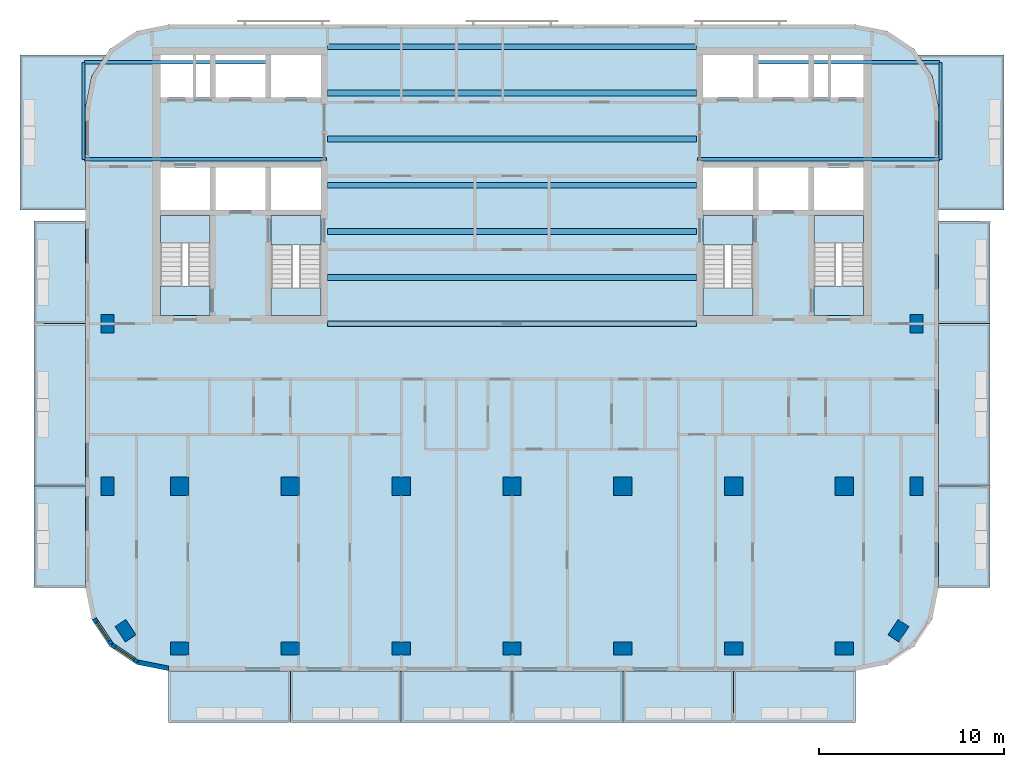
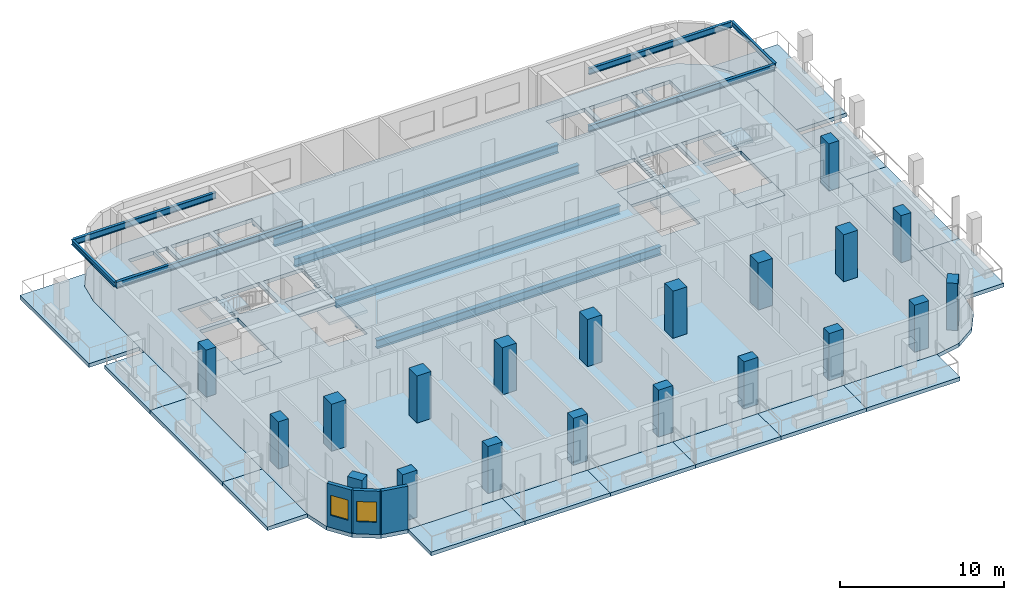
# One storey, part 1 of 11: 23 slabs, 20 columns, 13 beams, 3 walls, 2 windows, 2 openings, 4 elements without a shape of their own.
"""IFC4 building model written with IfcOpenShell, lengths in metres."""

from ifc_helpers import new_model, si_unit, direction, frame, frame_2d, origin, origin_2d, place, context, subcontext, project, spatial, polyline, rectangle, i_section, outline, extrude, material, layer, layer_set, material_profile, profile_set, type_object, element, fill, aggregate, save


model = new_model("IFC4")

# Units and contexts
model_context = context("Model", 3, precision=1e-05, world=origin(), true_north=direction((0.0, 1.0)))
body_context = subcontext(model_context, "Body", "Model", "MODEL_VIEW")
ifc_project = project(units=[si_unit("LENGTHUNIT", "METRE"), si_unit("AREAUNIT", "SQUARE_METRE"), si_unit("VOLUMEUNIT", "CUBIC_METRE"), si_unit("PLANEANGLEUNIT", "RADIAN"), si_unit("MASSUNIT", "GRAM", prefix="KILO")], contexts=[model_context])

# Site, building, storey
site_placement = place(None, origin())
site = spatial("IfcSite", under=ifc_project, at=site_placement, CompositionType="ELEMENT")
building_placement = place(site_placement, origin())
building = spatial("IfcBuilding", under=site, at=building_placement, Name="Torana Hotel and Residences", CompositionType="ELEMENT")
storey_placement = place(building_placement, frame((0.0, 0.0, 294.60009765625)))
storey = spatial("IfcBuildingStorey", under=building, at=storey_placement, Name="L78", CompositionType="ELEMENT", Elevation=294.60009765625)

# Columns
ifc_material_1 = material(Name="Concrete C50/60", Category="concrete")
ifc_material_profile_1 = material_profile(ifc_material_1, rectangle(XDim=1.0, YDim=1.0, at=origin_2d()), Name="RC 1000x1000")
ifc_profile_set_1 = profile_set([ifc_material_profile_1], Name="Concrete C50/60")
column_type_1 = type_object("IfcColumnType", Name="COLUMN RC 1000x1000 C50/60", PredefinedType="COLUMN", material=ifc_profile_set_1)
for number, where, z_axis, x_axis, name in (
    (1, (-18.0, -23.800048828125, 0.0), (0.0, 0.0, 1.0), (1.0, 0.0, 0.0), "Column L78"),
    (2, (-12.0, -23.800048828125, 0.0), (0.0, 0.0, 1.0), (1.0, 0.0, 0.0), "Column L78"),
    (3, (-6.0, -23.800048828125, 0.0), (0.0, 0.0, 1.0), (1.0, 0.0, 0.0), "Column L78"),
    (4, (0.0, -23.800048828125, 0.0), (0.0, 0.0, 1.0), (1.0, 0.0, 0.0), "Column L78"),
    (5, (6.0, -23.800048828125, 0.0), (0.0, 0.0, 1.0), (1.0, 0.0, 0.0), "Column L78"),
    (6, (12.0, -23.800048828125, 0.0), (0.0, 0.0, 1.0), (1.0, 0.0, 0.0), "Column L78"),
    (7, (18.0, -23.800048828125, 0.0), (0.0, 0.0, 1.0), (1.0, 0.0, 0.0), "Column L78"),
):
    element("IfcColumn", number, at=place(storey_placement, frame(where, z_axis=z_axis, x_axis=x_axis)), inside=storey, type_object=column_type_1, Name=name, PredefinedType="COLUMN", context=body_context, shape_type="SweptSolid", body=[
        extrude(rectangle(XDim=1.0, YDim=1.0, at=origin_2d()), origin(), (0.0, 0.0, 1.0), 3.5),
    ])
ifc_material_2 = material(Name="Concrete C50/60", Category="concrete")
ifc_material_profile_2 = material_profile(ifc_material_2, rectangle(XDim=1.0, YDim=0.699951171875, at=origin_2d()), Name="RC 1000x700")
ifc_profile_set_2 = profile_set([ifc_material_profile_2], Name="Concrete C50/60")
column_type_2 = type_object("IfcColumnType", Name="COLUMN RC 1000x700 C50/60", PredefinedType="COLUMN", material=ifc_profile_set_2)
for number, where, z_axis, x_axis, name in (
    (8, (-21.89990234375, -23.800048828125, 0.0), (0.0, 0.0, 1.0), (0.0, 1.0, 0.0), "Column L78"),
    (9, (-21.89990234375, -15.0, 0.0), (0.0, 0.0, 1.0), (0.0, 1.0, 0.0), "Column L78"),
    (10, (-20.93310546875, -31.633056640625, 0.0), (0.0, 0.0, 1.0), (-0.555584744817, 0.831459915646, 0.0), "Column L78"),
    (11, (-18.0, -32.60009765625, 0.0), (0.0, 0.0, 1.0), (1.0, 0.0, 0.0), "Column L78"),
    (12, (-12.0, -32.60009765625, 0.0), (0.0, 0.0, 1.0), (1.0, 0.0, 0.0), "Column L78"),
    (13, (-6.0, -32.60009765625, 0.0), (0.0, 0.0, 1.0), (1.0, 0.0, 0.0), "Column L78"),
    (14, (0.0, -32.60009765625, 0.0), (0.0, 0.0, 1.0), (1.0, 0.0, 0.0), "Column L78"),
    (15, (6.0, -32.60009765625, 0.0), (0.0, 0.0, 1.0), (1.0, 0.0, 0.0), "Column L78"),
    (16, (12.0, -32.60009765625, 0.0), (0.0, 0.0, 1.0), (1.0, 0.0, 0.0), "Column L78"),
    (17, (18.0, -32.60009765625, 0.0), (0.0, 0.0, 1.0), (1.0, 0.0, 0.0), "Column L78"),
    (18, (20.93310546875, -31.633056640625, 0.0), (0.0, 0.0, 1.0), (0.555584744817, 0.831459915646, 0.0), "Column L78"),
    (19, (21.89990234375, -23.800048828125, 0.0), (0.0, 0.0, 1.0), (0.0, 1.0, 0.0), "Column L78"),
    (20, (21.89990234375, -15.0, 0.0), (0.0, 0.0, 1.0), (0.0, 1.0, 0.0), "Column L78"),
):
    element("IfcColumn", number, at=place(storey_placement, frame(where, z_axis=z_axis, x_axis=x_axis)), inside=storey, type_object=column_type_2, Name=name, PredefinedType="COLUMN", context=body_context, shape_type="SweptSolid", body=[
        extrude(rectangle(XDim=1.0, YDim=0.699951171875, at=origin_2d()), origin(), (0.0, 0.0, 1.0), 3.5),
    ])

# Beams
ifc_material_3 = material(Name="Steel S355", Category="steel")
ifc_material_profile_3 = material_profile(ifc_material_3, i_section(OverallWidth=0.19287109375, OverallDepth=0.46728515625, WebThickness=0.011474609375, FlangeThickness=0.01953125, FilletRadius=0.01025390625, at=origin_2d()), Name="457x191x98 UB")
ifc_profile_set_3 = profile_set([ifc_material_profile_3], Name="Steel S355")
beam_type_1 = type_object("IfcBeamType", Name="BALCONY CANTILEVER BEAM 457x191x98 UB", PredefinedType="BEAM", material=ifc_profile_set_3)
beam_1_placement = place(storey_placement, frame((-23.1484375, -6.10009765625, 2.986328125), z_axis=(1.0, 0.0, 0.0), x_axis=(0.0, 1.0, 0.0)))
element("IfcBeam", 21, at=beam_1_placement, inside=storey, type_object=beam_type_1, Name="Balcony cantilever beam", PredefinedType="BEAM", context=body_context, shape_type="SweptSolid", body=[
    extrude(i_section(OverallWidth=0.19287109375, OverallDepth=0.46728515625, WebThickness=0.011474609375, FlangeThickness=0.01953125, FilletRadius=0.01025390625, at=origin_2d()), origin(), (0.0, 0.0, 1.0), 13.098388671875),
])
beam_2_placement = place(storey_placement, frame((-23.1484375, -0.85009765625, 2.986328125), z_axis=(1.0, 0.0, 0.0), x_axis=(0.0, 1.0, 0.0)))
element("IfcBeam", 22, at=beam_2_placement, inside=storey, type_object=beam_type_1, Name="Balcony cantilever beam", PredefinedType="BEAM", context=body_context, shape_type="SweptSolid", body=[
    extrude(i_section(OverallWidth=0.19287109375, OverallDepth=0.46728515625, WebThickness=0.011474609375, FlangeThickness=0.01953125, FilletRadius=0.01025390625, at=origin_2d()), origin(), (0.0, 0.0, 1.0), 10.04833984375),
])
beam_3_placement = place(storey_placement, frame((23.1484375, -6.10009765625, 2.986328125), z_axis=(-1.0, 0.0, 0.0), x_axis=(0.0, -1.0, 0.0)))
element("IfcBeam", 23, at=beam_3_placement, inside=storey, type_object=beam_type_1, Name="Balcony cantilever beam", PredefinedType="BEAM", context=body_context, shape_type="SweptSolid", body=[
    extrude(i_section(OverallWidth=0.19287109375, OverallDepth=0.46728515625, WebThickness=0.011474609375, FlangeThickness=0.01953125, FilletRadius=0.01025390625, at=origin_2d()), origin(), (0.0, 0.0, 1.0), 13.098388671875),
])
beam_4_placement = place(storey_placement, frame((23.1484375, -0.85009765625, 2.986328125), z_axis=(-1.0, 0.0, 0.0), x_axis=(0.0, -1.0, 0.0)))
element("IfcBeam", 24, at=beam_4_placement, inside=storey, type_object=beam_type_1, Name="Balcony cantilever beam", PredefinedType="BEAM", context=body_context, shape_type="SweptSolid", body=[
    extrude(i_section(OverallWidth=0.19287109375, OverallDepth=0.46728515625, WebThickness=0.011474609375, FlangeThickness=0.01953125, FilletRadius=0.01025390625, at=origin_2d()), origin(), (0.0, 0.0, 1.0), 10.04833984375),
])
ifc_material_4 = material(Name="Steel S355", Category="steel")
ifc_material_profile_4 = material_profile(ifc_material_4, i_section(OverallWidth=0.173095703125, OverallDepth=0.36328125, WebThickness=0.009033203125, FlangeThickness=0.015625, FilletRadius=0.01025390625, at=origin_2d()), Name="356x171x67 UB")
ifc_profile_set_4 = profile_set([ifc_material_profile_4], Name="Steel S355")
beam_type_2 = type_object("IfcBeamType", Name="BALCONY TIP BEAM 356x171x67 UB", PredefinedType="BEAM", material=ifc_profile_set_4)
for number, where, z_axis, x_axis, name in (
    (25, (-23.205078125, -6.10009765625, 3.0380859375), (0.0, 1.0, 0.0), (-1.0, 0.0, 0.0), "Balcony tip beam"),
    (26, (23.205078125, -6.10009765625, 3.0380859375), (0.0, 1.0, 0.0), (-1.0, 0.0, 0.0), "Balcony tip beam"),
):
    element("IfcBeam", number, at=place(storey_placement, frame(where, z_axis=z_axis, x_axis=x_axis)), inside=storey, type_object=beam_type_2, Name=name, PredefinedType="BEAM", context=body_context, shape_type="SweptSolid", body=[
        extrude(i_section(OverallWidth=0.173095703125, OverallDepth=0.36328125, WebThickness=0.009033203125, FlangeThickness=0.015625, FilletRadius=0.01025390625, at=origin_2d()), origin(), (0.0, 0.0, 1.0), 5.25),
    ])
ifc_material_5 = material(Name="Steel S355", Category="steel")
ifc_material_profile_5 = material_profile(ifc_material_5, i_section(OverallWidth=0.311279296875, OverallDepth=0.6357421875, WebThickness=0.018310546875, FlangeThickness=0.031494140625, FilletRadius=0.0166015625, at=origin_2d()), Name="610x305x238 UB")
ifc_profile_set_5 = profile_set([ifc_material_profile_5], Name="Steel S355")
beam_type_3 = type_object("IfcBeamType", Name="STEEL GIRDER 610x305x238 UB", PredefinedType="BEAM", material=ifc_profile_set_5)
for number, where, z_axis, x_axis, name in (
    (27, (-10.0, -15.0, -0.597900390625), (1.0, 0.0, 0.0), (0.0, 1.0, 0.0), "Floor girder"),
    (28, (-10.0, -12.5, -0.597900390625), (1.0, 0.0, 0.0), (0.0, 1.0, 0.0), "Floor girder"),
    (29, (-10.0, -10.0, -0.597900390625), (1.0, 0.0, 0.0), (0.0, 1.0, 0.0), "Floor girder"),
    (30, (-10.0, -7.5, -0.597900390625), (1.0, 0.0, 0.0), (0.0, 1.0, 0.0), "Floor girder"),
    (31, (-10.0, -5.0, -0.597900390625), (1.0, 0.0, 0.0), (0.0, 1.0, 0.0), "Floor girder"),
    (32, (-10.0, -2.5, -0.597900390625), (1.0, 0.0, 0.0), (0.0, 1.0, 0.0), "Floor girder"),
    (33, (-10.0, 0.0, -0.597900390625), (1.0, 0.0, 0.0), (0.0, 1.0, 0.0), "Floor girder"),
):
    element("IfcBeam", number, at=place(storey_placement, frame(where, z_axis=z_axis, x_axis=x_axis)), inside=storey, type_object=beam_type_3, Name=name, PredefinedType="BEAM", context=body_context, shape_type="SweptSolid", body=[
        extrude(i_section(OverallWidth=0.311279296875, OverallDepth=0.6357421875, WebThickness=0.018310546875, FlangeThickness=0.031494140625, FilletRadius=0.0166015625, at=origin_2d()), origin(), (0.0, 0.0, 1.0), 20.0),
    ])

# Slabs
ifc_material_6 = material(Name="Concrete C40/50", Category="concrete")
ifc_layer_1 = layer(ifc_material_6, 0.280029296875)
ifc_layer_set_1 = layer_set([ifc_layer_1], Name="BAL1 BALCONY SLAB 280")
slab_type_1 = type_object("IfcSlabType", Name="BAL1 BALCONY SLAB 280", PredefinedType="USERDEFINED", material=ifc_layer_set_1)
slab_1_placement = place(storey_placement, frame((0.0, 0.0, -0.280029296875)))
element("IfcSlab", 34, at=slab_1_placement, inside=storey, type_object=slab_type_1, Name="Balcony 01", ObjectType="BALCONY", PredefinedType="USERDEFINED", context=body_context, shape_type="SweptSolid", body=[
    extrude(outline(polyline([(-18.60009765625, -36.60009765625), (-12.0, -36.60009765625), (-12.0, -33.800048828125), (-18.60009765625, -33.800048828125), (-18.60009765625, -36.60009765625)])), origin(), (0.0, 0.0, 1.0), 0.280029296875),
])
slab_2_placement = place(storey_placement, frame((0.0, 0.0, -0.280029296875)))
element("IfcSlab", 35, at=slab_2_placement, inside=storey, type_object=slab_type_1, Name="Balcony 02", ObjectType="BALCONY", PredefinedType="USERDEFINED", context=body_context, shape_type="SweptSolid", body=[
    extrude(outline(polyline([(-12.0, -36.60009765625), (-6.0, -36.60009765625), (-6.0, -33.800048828125), (-12.0, -33.800048828125), (-12.0, -36.60009765625)])), origin(), (0.0, 0.0, 1.0), 0.280029296875),
])
slab_3_placement = place(storey_placement, frame((0.0, 0.0, -0.280029296875)))
element("IfcSlab", 36, at=slab_3_placement, inside=storey, type_object=slab_type_1, Name="Balcony 03", ObjectType="BALCONY", PredefinedType="USERDEFINED", context=body_context, shape_type="SweptSolid", body=[
    extrude(outline(polyline([(-6.0, -36.60009765625), (0.0, -36.60009765625), (0.0, -33.800048828125), (-6.0, -33.800048828125), (-6.0, -36.60009765625)])), origin(), (0.0, 0.0, 1.0), 0.280029296875),
])
slab_4_placement = place(storey_placement, frame((0.0, 0.0, -0.280029296875)))
element("IfcSlab", 37, at=slab_4_placement, inside=storey, type_object=slab_type_1, Name="Balcony 04", ObjectType="BALCONY", PredefinedType="USERDEFINED", context=body_context, shape_type="SweptSolid", body=[
    extrude(outline(polyline([(0.0, -36.60009765625), (6.0, -36.60009765625), (6.0, -33.800048828125), (0.0, -33.800048828125), (0.0, -36.60009765625)])), origin(), (0.0, 0.0, 1.0), 0.280029296875),
])
slab_5_placement = place(storey_placement, frame((0.0, 0.0, -0.280029296875)))
element("IfcSlab", 38, at=slab_5_placement, inside=storey, type_object=slab_type_1, Name="Balcony 05", ObjectType="BALCONY", PredefinedType="USERDEFINED", context=body_context, shape_type="SweptSolid", body=[
    extrude(outline(polyline([(6.0, -36.60009765625), (12.0, -36.60009765625), (12.0, -33.800048828125), (6.0, -33.800048828125), (6.0, -36.60009765625)])), origin(), (0.0, 0.0, 1.0), 0.280029296875),
])
slab_6_placement = place(storey_placement, frame((0.0, 0.0, -0.280029296875)))
element("IfcSlab", 39, at=slab_6_placement, inside=storey, type_object=slab_type_1, Name="Balcony 06", ObjectType="BALCONY", PredefinedType="USERDEFINED", context=body_context, shape_type="SweptSolid", body=[
    extrude(outline(polyline([(12.0, -36.60009765625), (18.60009765625, -36.60009765625), (18.60009765625, -33.800048828125), (12.0, -33.800048828125), (12.0, -36.60009765625)])), origin(), (0.0, 0.0, 1.0), 0.280029296875),
])
slab_7_placement = place(storey_placement, frame((0.0, 0.0, -0.280029296875)))
element("IfcSlab", 40, at=slab_7_placement, inside=storey, type_object=slab_type_1, Name="Balcony 07", ObjectType="BALCONY", PredefinedType="USERDEFINED", context=body_context, shape_type="SweptSolid", body=[
    extrude(outline(polyline([(-25.89990234375, -29.300048828125), (-23.10009765625, -29.300048828125), (-23.10009765625, -23.800048828125), (-25.89990234375, -23.800048828125), (-25.89990234375, -29.300048828125)])), origin(), (0.0, 0.0, 1.0), 0.280029296875),
])
slab_8_placement = place(storey_placement, frame((0.0, 0.0, -0.280029296875)))
element("IfcSlab", 41, at=slab_8_placement, inside=storey, type_object=slab_type_1, Name="Balcony 08", ObjectType="BALCONY", PredefinedType="USERDEFINED", context=body_context, shape_type="SweptSolid", body=[
    extrude(outline(polyline([(-25.89990234375, -23.800048828125), (-23.10009765625, -23.800048828125), (-23.10009765625, -15.0), (-25.89990234375, -15.0), (-25.89990234375, -23.800048828125)])), origin(), (0.0, 0.0, 1.0), 0.280029296875),
])
slab_9_placement = place(storey_placement, frame((0.0, 0.0, -0.280029296875)))
element("IfcSlab", 42, at=slab_9_placement, inside=storey, type_object=slab_type_1, Name="Balcony 09", ObjectType="BALCONY", PredefinedType="USERDEFINED", context=body_context, shape_type="SweptSolid", body=[
    extrude(outline(polyline([(-25.89990234375, -15.0), (-23.10009765625, -15.0), (-23.10009765625, -9.449951171875), (-25.89990234375, -9.449951171875), (-25.89990234375, -15.0)])), origin(), (0.0, 0.0, 1.0), 0.280029296875),
])
slab_10_placement = place(storey_placement, frame((0.0, 0.0, -0.280029296875)))
element("IfcSlab", 43, at=slab_10_placement, inside=storey, type_object=slab_type_1, Name="Balcony 10", ObjectType="BALCONY", PredefinedType="USERDEFINED", context=body_context, shape_type="SweptSolid", body=[
    extrude(outline(polyline([(-26.64990234375, -8.85009765625), (-23.10009765625, -8.85009765625), (-23.10009765625, -3.300048828125), (-22.757568359375, -1.577880859375), (-22.00390625, -0.449951171875), (-26.64990234375, -0.449951171875), (-26.64990234375, -8.85009765625)])), origin(), (0.0, 0.0, 1.0), 0.280029296875),
])
slab_11_placement = place(storey_placement, frame((0.0, 0.0, -0.280029296875)))
element("IfcSlab", 44, at=slab_11_placement, inside=storey, type_object=slab_type_1, Name="Balcony 11", ObjectType="BALCONY", PredefinedType="USERDEFINED", context=body_context, shape_type="SweptSolid", body=[
    extrude(outline(polyline([(23.10009765625, -29.300048828125), (25.89990234375, -29.300048828125), (25.89990234375, -23.800048828125), (23.10009765625, -23.800048828125), (23.10009765625, -29.300048828125)])), origin(), (0.0, 0.0, 1.0), 0.280029296875),
])
slab_12_placement = place(storey_placement, frame((0.0, 0.0, -0.280029296875)))
element("IfcSlab", 45, at=slab_12_placement, inside=storey, type_object=slab_type_1, Name="Balcony 12", ObjectType="BALCONY", PredefinedType="USERDEFINED", context=body_context, shape_type="SweptSolid", body=[
    extrude(outline(polyline([(23.10009765625, -23.800048828125), (25.89990234375, -23.800048828125), (25.89990234375, -15.0), (23.10009765625, -15.0), (23.10009765625, -23.800048828125)])), origin(), (0.0, 0.0, 1.0), 0.280029296875),
])
slab_13_placement = place(storey_placement, frame((0.0, 0.0, -0.280029296875)))
element("IfcSlab", 46, at=slab_13_placement, inside=storey, type_object=slab_type_1, Name="Balcony 13", ObjectType="BALCONY", PredefinedType="USERDEFINED", context=body_context, shape_type="SweptSolid", body=[
    extrude(outline(polyline([(23.10009765625, -15.0), (25.89990234375, -15.0), (25.89990234375, -9.449951171875), (23.10009765625, -9.449951171875), (23.10009765625, -15.0)])), origin(), (0.0, 0.0, 1.0), 0.280029296875),
])
slab_14_placement = place(storey_placement, frame((0.0, 0.0, -0.280029296875)))
element("IfcSlab", 47, at=slab_14_placement, inside=storey, type_object=slab_type_1, Name="Balcony 14", ObjectType="BALCONY", PredefinedType="USERDEFINED", context=body_context, shape_type="SweptSolid", body=[
    extrude(outline(polyline([(23.10009765625, -8.85009765625), (26.64990234375, -8.85009765625), (26.64990234375, -0.449951171875), (22.00390625, -0.449951171875), (22.757568359375, -1.577880859375), (23.10009765625, -3.300048828125), (23.10009765625, -8.85009765625)])), origin(), (0.0, 0.0, 1.0), 0.280029296875),
])
ifc_material_7 = material(Name="Concrete C40/50", Category="concrete")
ifc_layer_2 = layer(ifc_material_7, 0.280029296875)
ifc_layer_set_2 = layer_set([ifc_layer_2], Name="FLOOR SLAB PT 280")
slab_type_2 = type_object("IfcSlabType", Name="FLOOR SLAB PT 280", PredefinedType="FLOOR", material=ifc_layer_set_2)
slab_15_placement = place(storey_placement, frame((0.0, 0.0, -0.280029296875)))
element("IfcSlab", 48, at=slab_15_placement, inside=storey, type_object=slab_type_2, Name="Floor slab", PredefinedType="FLOOR", context=body_context, shape_type="SweptSolid", body=[
    extrude(outline(polyline([(23.10009765625, -3.300048828125), (22.757568359375, -1.577880859375), (21.781982421875, -0.117919921875), (20.322021484375, 0.857421875), (18.60009765625, 1.199951171875), (-18.60009765625, 1.199951171875), (-20.322021484375, 0.857421875), (-21.781982421875, -0.117919921875), (-22.757568359375, -1.577880859375), (-23.10009765625, -3.300048828125), (-23.10009765625, -29.300048828125), (-22.757568359375, -31.022216796875), (-21.781982421875, -32.48193359375), (-20.322021484375, -33.45751953125), (-18.60009765625, -33.800048828125), (18.60009765625, -33.800048828125), (20.322021484375, -33.45751953125), (21.781982421875, -32.48193359375), (22.757568359375, -31.022216796875), (23.10009765625, -29.300048828125), (23.10009765625, -3.300048828125)]), holes=[polyline([(-13.050048828125, -14.550048828125), (-10.35009765625, -14.550048828125), (-10.35009765625, -9.14990234375), (-13.050048828125, -9.14990234375), (-13.050048828125, -14.550048828125)]), polyline([(-19.050048828125, -14.550048828125), (-16.35009765625, -14.550048828125), (-16.35009765625, -9.14990234375), (-19.050048828125, -9.14990234375), (-19.050048828125, -14.550048828125)]), polyline([(-17.125, -2.75), (-16.35009765625, -2.75), (-16.35009765625, -0.449951171875), (-17.125, -0.449951171875), (-17.125, -2.75)]), polyline([(-19.050048828125, -2.75), (-17.27490234375, -2.75), (-17.27490234375, -0.449951171875), (-19.050048828125, -0.449951171875), (-19.050048828125, -2.75)]), polyline([(-13.050048828125, -2.75), (-10.35009765625, -2.75), (-10.35009765625, -0.449951171875), (-13.050048828125, -0.449951171875), (-13.050048828125, -2.75)]), polyline([(-16.050048828125, -2.75), (-13.35009765625, -2.75), (-13.35009765625, -0.449951171875), (-16.050048828125, -0.449951171875), (-16.050048828125, -2.75)]), polyline([(-13.050048828125, -8.85009765625), (-10.35009765625, -8.85009765625), (-10.35009765625, -6.550048828125), (-13.050048828125, -6.550048828125), (-13.050048828125, -8.85009765625)]), polyline([(-16.050048828125, -8.85009765625), (-13.35009765625, -8.85009765625), (-13.35009765625, -6.550048828125), (-16.050048828125, -6.550048828125), (-16.050048828125, -8.85009765625)]), polyline([(-19.050048828125, -8.85009765625), (-16.35009765625, -8.85009765625), (-16.35009765625, -6.550048828125), (-19.050048828125, -6.550048828125), (-19.050048828125, -8.85009765625)]), polyline([(10.35009765625, -14.550048828125), (13.050048828125, -14.550048828125), (13.050048828125, -9.14990234375), (10.35009765625, -9.14990234375), (10.35009765625, -14.550048828125)]), polyline([(16.35009765625, -14.550048828125), (19.050048828125, -14.550048828125), (19.050048828125, -9.14990234375), (16.35009765625, -9.14990234375), (16.35009765625, -14.550048828125)]), polyline([(16.35009765625, -2.75), (17.125, -2.75), (17.125, -0.449951171875), (16.35009765625, -0.449951171875), (16.35009765625, -2.75)]), polyline([(17.27490234375, -2.75), (19.050048828125, -2.75), (19.050048828125, -0.449951171875), (17.27490234375, -0.449951171875), (17.27490234375, -2.75)]), polyline([(10.35009765625, -2.75), (13.050048828125, -2.75), (13.050048828125, -0.449951171875), (10.35009765625, -0.449951171875), (10.35009765625, -2.75)]), polyline([(13.35009765625, -2.75), (16.050048828125, -2.75), (16.050048828125, -0.449951171875), (13.35009765625, -0.449951171875), (13.35009765625, -2.75)]), polyline([(10.35009765625, -8.85009765625), (13.050048828125, -8.85009765625), (13.050048828125, -6.550048828125), (10.35009765625, -6.550048828125), (10.35009765625, -8.85009765625)]), polyline([(13.35009765625, -8.85009765625), (16.050048828125, -8.85009765625), (16.050048828125, -6.550048828125), (13.35009765625, -6.550048828125), (13.35009765625, -8.85009765625)]), polyline([(16.35009765625, -8.85009765625), (19.050048828125, -8.85009765625), (19.050048828125, -6.550048828125), (16.35009765625, -6.550048828125), (16.35009765625, -8.85009765625)])]), origin(), (0.0, 0.0, 1.0), 0.280029296875),
])

# Stair, slabs
ifc_material_8 = material(Name="Concrete C40/50 precast", Category="concrete")
stair_type_1 = type_object("IfcStairType", Name="STAIR ST1 HALF TURN 1200", PredefinedType="HALF_TURN_STAIR", material=ifc_material_8)
stair_1_placement = place(storey_placement, origin())
stair_1 = element("IfcStair", 49, at=stair_1_placement, inside=storey, type_object=stair_type_1, Name="Stair ST1 L78", PredefinedType="HALF_TURN_STAIR")
ifc_material_9 = material(Name="Concrete C40/50 precast", Category="concrete")
ifc_layer_3 = layer(ifc_material_9, 0.199951171875)
ifc_layer_set_3 = layer_set([ifc_layer_3], Name="STAIR LANDING 200")
slab_type_3 = type_object("IfcSlabType", Name="STAIR LANDING 200", PredefinedType="LANDING", material=ifc_layer_set_3)
slab_16_placement = place(storey_placement, frame((0.0, 0.0, 1.5498046875)))
slab_16 = element("IfcSlab", 50, at=slab_16_placement, type_object=slab_type_3, Name="ST1 landing 1", PredefinedType="LANDING", context=body_context, shape_type="SweptSolid", body=[
    extrude(outline(polyline([(-13.050048828125, -14.550048828125), (-10.35009765625, -14.550048828125), (-10.35009765625, -13.090087890625), (-13.050048828125, -13.090087890625), (-13.050048828125, -14.550048828125)])), origin(), (0.0, 0.0, 1.0), 0.2001953125),
])
slab_17_placement = place(storey_placement, frame((0.0, 0.0, -0.2001953125)))
slab_17 = element("IfcSlab", 51, at=slab_17_placement, type_object=slab_type_3, Name="ST1 landing 2", PredefinedType="LANDING", context=body_context, shape_type="SweptSolid", body=[
    extrude(outline(polyline([(-13.050048828125, -10.75), (-10.35009765625, -10.75), (-10.35009765625, -9.14990234375), (-13.050048828125, -9.14990234375), (-13.050048828125, -10.75)])), origin(), (0.0, 0.0, 1.0), 0.2001953125),
])
aggregate(stair_1, [slab_16, slab_17])

ifc_material_10 = material(Name="Concrete C40/50 precast", Category="concrete")
stair_type_2 = type_object("IfcStairType", Name="STAIR ST2 HALF TURN 1200", PredefinedType="HALF_TURN_STAIR", material=ifc_material_10)
stair_2_placement = place(storey_placement, origin())
stair_2 = element("IfcStair", 52, at=stair_2_placement, inside=storey, type_object=stair_type_2, Name="Stair ST2 L78", PredefinedType="HALF_TURN_STAIR")
slab_18_placement = place(storey_placement, frame((0.0, 0.0, 1.5498046875)))
slab_18 = element("IfcSlab", 53, at=slab_18_placement, type_object=slab_type_3, Name="ST2 landing 1", PredefinedType="LANDING", context=body_context, shape_type="SweptSolid", body=[
    extrude(outline(polyline([(-19.050048828125, -10.610107421875), (-16.35009765625, -10.610107421875), (-16.35009765625, -9.14990234375), (-19.050048828125, -9.14990234375), (-19.050048828125, -10.610107421875)])), origin(), (0.0, 0.0, 1.0), 0.2001953125),
])
slab_19_placement = place(storey_placement, frame((0.0, 0.0, -0.2001953125)))
slab_19 = element("IfcSlab", 54, at=slab_19_placement, type_object=slab_type_3, Name="ST2 landing 2", PredefinedType="LANDING", context=body_context, shape_type="SweptSolid", body=[
    extrude(outline(polyline([(-19.050048828125, -14.550048828125), (-16.35009765625, -14.550048828125), (-16.35009765625, -12.949951171875), (-19.050048828125, -12.949951171875), (-19.050048828125, -14.550048828125)])), origin(), (0.0, 0.0, 1.0), 0.2001953125),
])
aggregate(stair_2, [slab_18, slab_19])

ifc_material_11 = material(Name="Concrete C40/50 precast", Category="concrete")
stair_type_3 = type_object("IfcStairType", Name="STAIR ST3 HALF TURN 1200", PredefinedType="HALF_TURN_STAIR", material=ifc_material_11)
stair_3_placement = place(storey_placement, origin())
stair_3 = element("IfcStair", 55, at=stair_3_placement, inside=storey, type_object=stair_type_3, Name="Stair ST3 L78", PredefinedType="HALF_TURN_STAIR")
slab_20_placement = place(storey_placement, frame((0.0, 0.0, 1.5498046875)))
slab_20 = element("IfcSlab", 56, at=slab_20_placement, type_object=slab_type_3, Name="ST3 landing 1", PredefinedType="LANDING", context=body_context, shape_type="SweptSolid", body=[
    extrude(outline(polyline([(10.35009765625, -14.550048828125), (13.050048828125, -14.550048828125), (13.050048828125, -13.090087890625), (10.35009765625, -13.090087890625), (10.35009765625, -14.550048828125)])), origin(), (0.0, 0.0, 1.0), 0.2001953125),
])
slab_21_placement = place(storey_placement, frame((0.0, 0.0, -0.2001953125)))
slab_21 = element("IfcSlab", 57, at=slab_21_placement, type_object=slab_type_3, Name="ST3 landing 2", PredefinedType="LANDING", context=body_context, shape_type="SweptSolid", body=[
    extrude(outline(polyline([(10.35009765625, -10.75), (13.050048828125, -10.75), (13.050048828125, -9.14990234375), (10.35009765625, -9.14990234375), (10.35009765625, -10.75)])), origin(), (0.0, 0.0, 1.0), 0.2001953125),
])
aggregate(stair_3, [slab_20, slab_21])

ifc_material_12 = material(Name="Concrete C40/50 precast", Category="concrete")
stair_type_4 = type_object("IfcStairType", Name="STAIR ST4 HALF TURN 1200", PredefinedType="HALF_TURN_STAIR", material=ifc_material_12)
stair_4_placement = place(storey_placement, origin())
stair_4 = element("IfcStair", 58, at=stair_4_placement, inside=storey, type_object=stair_type_4, Name="Stair ST4 L78", PredefinedType="HALF_TURN_STAIR")
slab_22_placement = place(storey_placement, frame((0.0, 0.0, 1.5498046875)))
slab_22 = element("IfcSlab", 59, at=slab_22_placement, type_object=slab_type_3, Name="ST4 landing 1", PredefinedType="LANDING", context=body_context, shape_type="SweptSolid", body=[
    extrude(outline(polyline([(16.35009765625, -10.610107421875), (19.050048828125, -10.610107421875), (19.050048828125, -9.14990234375), (16.35009765625, -9.14990234375), (16.35009765625, -10.610107421875)])), origin(), (0.0, 0.0, 1.0), 0.2001953125),
])
slab_23_placement = place(storey_placement, frame((0.0, 0.0, -0.2001953125)))
slab_23 = element("IfcSlab", 60, at=slab_23_placement, type_object=slab_type_3, Name="ST4 landing 2", PredefinedType="LANDING", context=body_context, shape_type="SweptSolid", body=[
    extrude(outline(polyline([(16.35009765625, -14.550048828125), (19.050048828125, -14.550048828125), (19.050048828125, -12.949951171875), (16.35009765625, -12.949951171875), (16.35009765625, -14.550048828125)])), origin(), (0.0, 0.0, 1.0), 0.2001953125),
])
aggregate(stair_4, [slab_22, slab_23])

# Wall, opening, window
ifc_material_13 = material(Name="Black aluminium composite panel", Category="aluminium")
ifc_layer_4 = layer(ifc_material_13, 0.00390625, Name="Cladding", Category="cladding")
ifc_material_14 = material(Name="Ventilated air cavity")
ifc_layer_5 = layer(ifc_material_14, 0.0400390625, Name="Ventilated cavity", Category="cavity")
ifc_material_15 = material(Name="Mineral wool insulation")
ifc_layer_6 = layer(ifc_material_15, 0.090087890625, Name="Insulation", Category="insulation")
ifc_material_16 = material(Name="Steel S280GD", Category="steel")
ifc_layer_7 = layer(ifc_material_16, 0.092041015625, Name="Steel stud frame", Category="structure")
ifc_material_17 = material(Name="Fire rated plasterboard")
ifc_layer_8 = layer(ifc_material_17, 0.011962890625, Name="Inner board", Category="finish")
ifc_layer_9 = layer(ifc_material_17, 0.011962890625, Name="Second board", Category="finish")
ifc_layer_set_4 = layer_set([ifc_layer_4, ifc_layer_5, ifc_layer_6, ifc_layer_7, ifc_layer_8, ifc_layer_9], Name="EW1 EXTERNAL WALL BLACK METAL CLAD 250")
wall_type = type_object("IfcWallType", Name="EW1 EXTERNAL WALL BLACK METAL CLAD 250", PredefinedType="SOLIDWALL", material=ifc_layer_set_4)
wall_1_placement = place(storey_placement, frame((-22.6259765625, -30.993896484375, 0.0), z_axis=(0.0, 0.0, 1.0), x_axis=(0.55555029066, -0.831482937015, 0.0)))
wall_1 = element("IfcWall", 61, at=wall_1_placement, inside=storey, type_object=wall_type, Name="External wall L78 e0.11", PredefinedType="SOLIDWALL", context=body_context, shape_type="SweptSolid", body=[
    extrude(rectangle(XDim=1.65625, YDim=0.25, at=frame_2d((0.828125, 0.0))), origin(), (0.0, 0.0, 1.0), 3.219970703125),
])
opening_1_placement = place(wall_1_placement, frame((0.228271484375, 0.0, 0.89990234375)))
opening_1 = element("IfcOpeningElement", 62, at=opening_1_placement, cuts=wall_1, Name="Opening W5", PredefinedType="OPENING", context=body_context, shape_type="SweptSolid", body=[
    extrude(rectangle(XDim=1.199951171875, YDim=1.5, at=frame_2d((0.60009765625, 0.75))), frame((0.0, 0.135009765625, 0.0), z_axis=(0.0, -1.0, 0.0), x_axis=(1.0, 0.0, 0.0)), (0.0, 0.0, 1.0), 0.27001953125),
])
ifc_material_18 = material(Name="Dark glass in black aluminium frame", Category="aluminium")
window_type = type_object("IfcWindowType", Name="W5 CORNER FACET WINDOW 1200x1500", PartitioningType="SINGLE_PANEL", PredefinedType="WINDOW", material=ifc_material_18)
window_1_placement = place(opening_1_placement, origin())
window_1 = element("IfcWindow", 63, at=window_1_placement, inside=storey, type_object=window_type, Name="Window L78 e0.11", OverallHeight=1.5, OverallWidth=1.199951171875, PartitioningType="SINGLE_PANEL", PredefinedType="WINDOW", context=body_context, shape_type="SweptSolid", body=[
    extrude(rectangle(XDim=1.199951171875, YDim=1.5, at=frame_2d((0.60009765625, 0.75))), frame((0.0, 0.030029296875, 0.0), z_axis=(0.0, -1.0, 0.0), x_axis=(1.0, 0.0, 0.0)), (0.0, 0.0, 1.0), 0.06005859375),
])
fill(opening_1, window_1)

wall_2_placement = place(storey_placement, frame((-21.671142578125, -32.40576171875, 0.0), z_axis=(0.0, 0.0, 1.0), x_axis=(0.831482937015, -0.55555029066, 0.0)))
wall_2 = element("IfcWall", 64, at=wall_2_placement, inside=storey, type_object=wall_type, Name="External wall L78 e0.12", PredefinedType="SOLIDWALL", context=body_context, shape_type="SweptSolid", body=[
    extrude(rectangle(XDim=1.65625, YDim=0.25, at=frame_2d((0.828125, 0.0))), origin(), (0.0, 0.0, 1.0), 3.219970703125),
])
opening_2_placement = place(wall_2_placement, frame((0.228271484375, 0.0, 0.89990234375)))
opening_2 = element("IfcOpeningElement", 65, at=opening_2_placement, cuts=wall_2, Name="Opening W5", PredefinedType="OPENING", context=body_context, shape_type="SweptSolid", body=[
    extrude(rectangle(XDim=1.199951171875, YDim=1.5, at=frame_2d((0.60009765625, 0.75))), frame((0.0, 0.135009765625, 0.0), z_axis=(0.0, -1.0, 0.0), x_axis=(1.0, 0.0, 0.0)), (0.0, 0.0, 1.0), 0.27001953125),
])
window_2_placement = place(opening_2_placement, origin())
window_2 = element("IfcWindow", 66, at=window_2_placement, inside=storey, type_object=window_type, Name="Window L78 e0.12", OverallHeight=1.5, OverallWidth=1.199951171875, PartitioningType="SINGLE_PANEL", PredefinedType="WINDOW", context=body_context, shape_type="SweptSolid", body=[
    extrude(rectangle(XDim=1.199951171875, YDim=1.5, at=frame_2d((0.60009765625, 0.75))), frame((0.0, 0.030029296875, 0.0), z_axis=(0.0, -1.0, 0.0), x_axis=(1.0, 0.0, 0.0)), (0.0, 0.0, 1.0), 0.06005859375),
])
fill(opening_2, window_2)

# Wall
wall_3_placement = place(storey_placement, frame((-20.248779296875, -33.344482421875, 0.0), z_axis=(0.0, 0.0, 1.0), x_axis=(0.980770110232, -0.195166572128, 0.0)))
element("IfcWall", 67, at=wall_3_placement, inside=storey, type_object=wall_type, Name="External wall L78 e0.13", PredefinedType="SOLIDWALL", context=body_context, shape_type="SweptSolid", body=[
    extrude(rectangle(XDim=1.68115234375, YDim=0.25, at=frame_2d((0.840576171875, 0.0))), origin(), (0.0, 0.0, 1.0), 3.219970703125),
])

save(model, "model.ifc")
